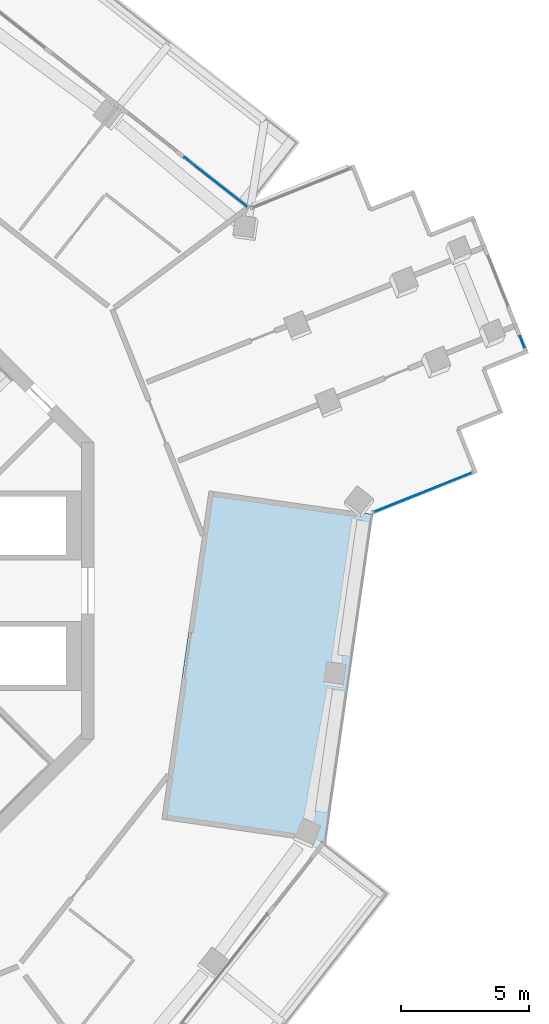
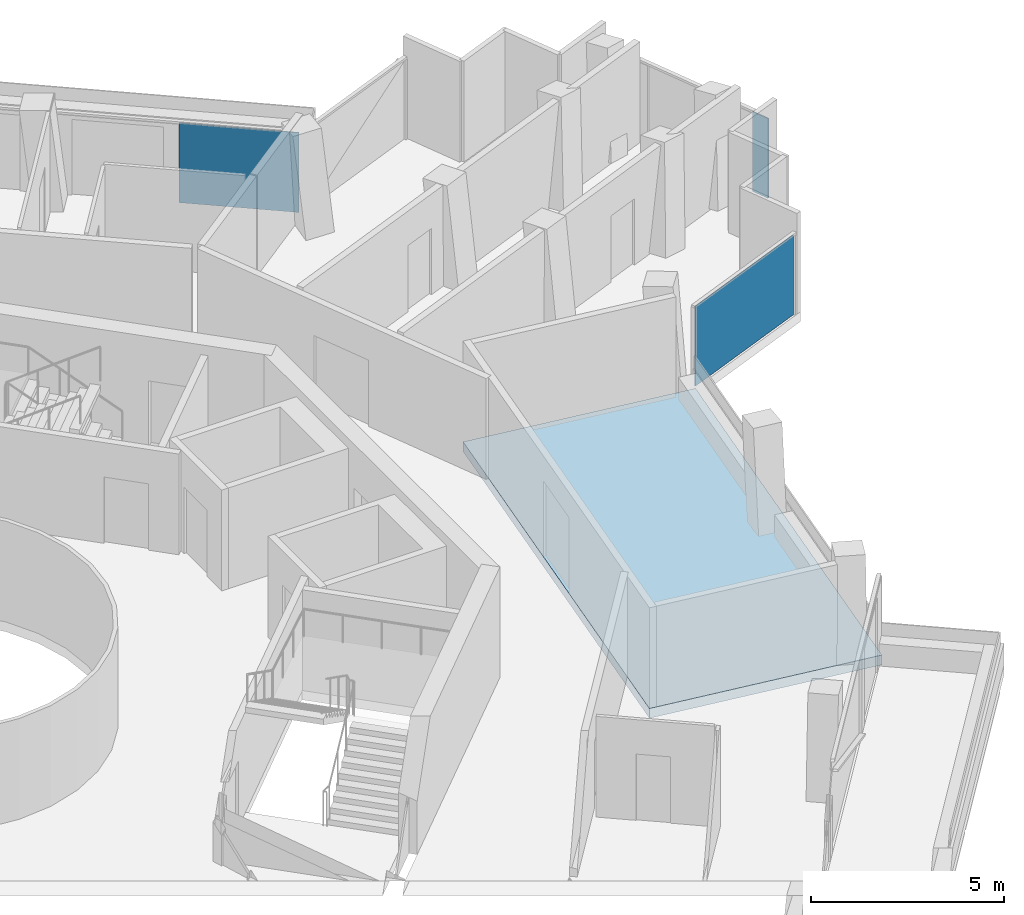
# One storey, part 14 of 23: 3 plates, 1 slab, 3 elements without a shape of their own.
"""IFC4 building model written with IfcOpenShell, lengths in metres."""

from ifc_helpers import new_model, si_unit, direction, frame, origin, origin_2d, place, context, subcontext, project, spatial, polyline, rectangle, outline, extrude, material, layer, layer_set, type_object, element, aggregate, save


model = new_model("IFC4")

# Units and contexts
model_context = context("Model", 3, precision=1e-05, world=origin(), true_north=direction((0.0, 1.0)))
body_context = subcontext(model_context, "Body", "Model", "MODEL_VIEW")
ifc_project = project(units=[si_unit("LENGTHUNIT", "METRE"), si_unit("AREAUNIT", "SQUARE_METRE"), si_unit("VOLUMEUNIT", "CUBIC_METRE"), si_unit("PLANEANGLEUNIT", "RADIAN"), si_unit("MASSUNIT", "GRAM", prefix="KILO")], contexts=[model_context])

# Site, building, storey
site_placement = place(None, origin())
site = spatial("IfcSite", under=ifc_project, at=site_placement, CompositionType="ELEMENT")
building_placement = place(site_placement, origin())
building = spatial("IfcBuilding", under=site, at=building_placement, Name="Verdalira Terraces Hotel", CompositionType="ELEMENT")
storey_placement = place(building_placement, frame((0.0, 0.0, 244.5)))
storey = spatial("IfcBuildingStorey", under=building, at=storey_placement, Name="L60", CompositionType="ELEMENT", Elevation=244.5)

# Curtain wall, plate
ifc_material_1 = material(Name="Clear glass", Category="glass")
ifc_layer_1 = layer(ifc_material_1, 0.14990234375)
ifc_layer_set_1 = layer_set([ifc_layer_1], Name="CW1 curtain wall")
curtain_wall_type_1 = type_object("IfcCurtainWallType", Name="CW1 curtain wall", PredefinedType="NOTDEFINED", material=ifc_layer_set_1)
curtain_wall_1_placement = place(storey_placement, origin())
curtain_wall_1 = element("IfcCurtainWall", 1, at=curtain_wall_1_placement, inside=storey, type_object=curtain_wall_type_1, Name="CW1 curtain wall L60 edge 39", PredefinedType="NOTDEFINED")
ifc_material_2 = material(Name="Clear glass", Category="glass")
ifc_layer_2 = layer(ifc_material_2, 0.028076171875)
ifc_layer_set_2 = layer_set([ifc_layer_2], Name="CW1 glass unit 28")
plate_type_1 = type_object("IfcPlateType", Name="CW1 glass unit 28", PredefinedType="CURTAIN_PANEL", material=ifc_layer_set_2)
plate_1_placement = place(storey_placement, frame((18.77124, 16.006104, 0.0), z_axis=(0.0, 0.0, 1.0), x_axis=(-0.786288432, 0.617859613, 0.0)))
plate_1 = element("IfcPlate", 2, at=plate_1_placement, type_object=plate_type_1, Name="CW1 glass unit", PredefinedType="CURTAIN_PANEL", context=body_context, shape_type="SweptSolid", body=[
    extrude(rectangle(XDim=3.139893, YDim=0.028076, at=origin_2d()), origin(), (0.0, 0.0, 1.0), 2.524902),
])
aggregate(curtain_wall_1, [plate_1])

ifc_material_3 = material(Name="Clear glass", Category="glass")
ifc_layer_3 = layer(ifc_material_3, 0.14990234375)
ifc_layer_set_3 = layer_set([ifc_layer_3], Name="CW2 curtain wall")
curtain_wall_type_2 = type_object("IfcCurtainWallType", Name="CW2 curtain wall", PredefinedType="NOTDEFINED", material=ifc_layer_set_3)
curtain_wall_2_placement = place(storey_placement, origin())
curtain_wall_2 = element("IfcCurtainWall", 3, at=curtain_wall_2_placement, inside=storey, type_object=curtain_wall_type_2, Name="CW2 curtain wall L60 edge 28", PredefinedType="NOTDEFINED")
ifc_material_4 = material(Name="Clear glass", Category="glass")
ifc_layer_4 = layer(ifc_material_4, 0.031982421875)
ifc_layer_set_4 = layer_set([ifc_layer_4], Name="CW2 glass unit 32")
plate_type_2 = type_object("IfcPlateType", Name="CW2 glass unit 32", PredefinedType="CURTAIN_PANEL", material=ifc_layer_set_4)
plate_2_placement = place(storey_placement, frame((26.88501, 3.853271, 0.0), z_axis=(0.0, 0.0, 1.0), x_axis=(0.928226337, 0.37201595, 0.0)))
plate_2 = element("IfcPlate", 4, at=plate_2_placement, type_object=plate_type_2, Name="CW2 glass unit", PredefinedType="CURTAIN_PANEL", context=body_context, shape_type="SweptSolid", body=[
    extrude(rectangle(XDim=4.12085, YDim=0.031982, at=origin_2d()), origin(), (0.0, 0.0, 1.0), 2.524902),
])
aggregate(curtain_wall_2, [plate_2])

ifc_material_5 = material(Name="Clear glass", Category="glass")
ifc_layer_5 = layer(ifc_material_5, 0.14990234375)
ifc_layer_set_5 = layer_set([ifc_layer_5], Name="CW3 curtain wall")
curtain_wall_type_3 = type_object("IfcCurtainWallType", Name="CW3 curtain wall", PredefinedType="NOTDEFINED", material=ifc_layer_set_5)
curtain_wall_3_placement = place(storey_placement, origin())
curtain_wall_3 = element("IfcCurtainWall", 5, at=curtain_wall_3_placement, inside=storey, type_object=curtain_wall_type_3, Name="CW3 curtain wall L60 edge 33", PredefinedType="NOTDEFINED")
ifc_material_6 = material(Name="Clear glass", Category="glass")
ifc_layer_6 = layer(ifc_material_6, 0.035888671875)
ifc_layer_set_6 = layer_set([ifc_layer_6], Name="CW3 glass unit 36")
plate_type_3 = type_object("IfcPlateType", Name="CW3 glass unit 36", PredefinedType="CURTAIN_PANEL", material=ifc_layer_set_6)
plate_3_placement = place(storey_placement, frame((30.781982, 9.735107, 0.0), z_axis=(0.0, 0.0, 1.0), x_axis=(-0.37201595, 0.928226337, 0.0)))
plate_3 = element("IfcPlate", 6, at=plate_3_placement, type_object=plate_type_3, Name="CW3 glass unit", PredefinedType="CURTAIN_PANEL", context=body_context, shape_type="SweptSolid", body=[
    extrude(rectangle(XDim=0.51001, YDim=0.035889, at=origin_2d()), origin(), (0.0, 0.0, 1.0), 2.524902),
])
aggregate(curtain_wall_3, [plate_3])

# Slab
ifc_material_7 = material(Name="Concrete C40", Category="concrete")
ifc_layer_7 = layer(ifc_material_7, 0.31005859375)
ifc_layer_set_7 = layer_set([ifc_layer_7], Name="Loggia floor deck 310 C40")
slab_type = type_object("IfcSlabType", Name="Loggia floor deck 310 C40", PredefinedType="FLOOR", material=ifc_layer_set_7)
slab_placement = place(storey_placement, frame((0.0, 0.0, -0.310059)))
element("IfcSlab", 7, at=slab_placement, inside=storey, type_object=slab_type, Name="Loggia deck L60", PredefinedType="FLOOR", context=body_context, shape_type="SweptSolid", body=[
    extrude(outline(polyline([(16.656006, -8.954834), (23.090088, -9.877441), (24.935303, 2.990967), (18.501221, 3.913574), (16.656006, -8.954834)])), origin(), (0.0, 0.0, 1.0), 0.310059),
])

save(model, "model.ifc")
